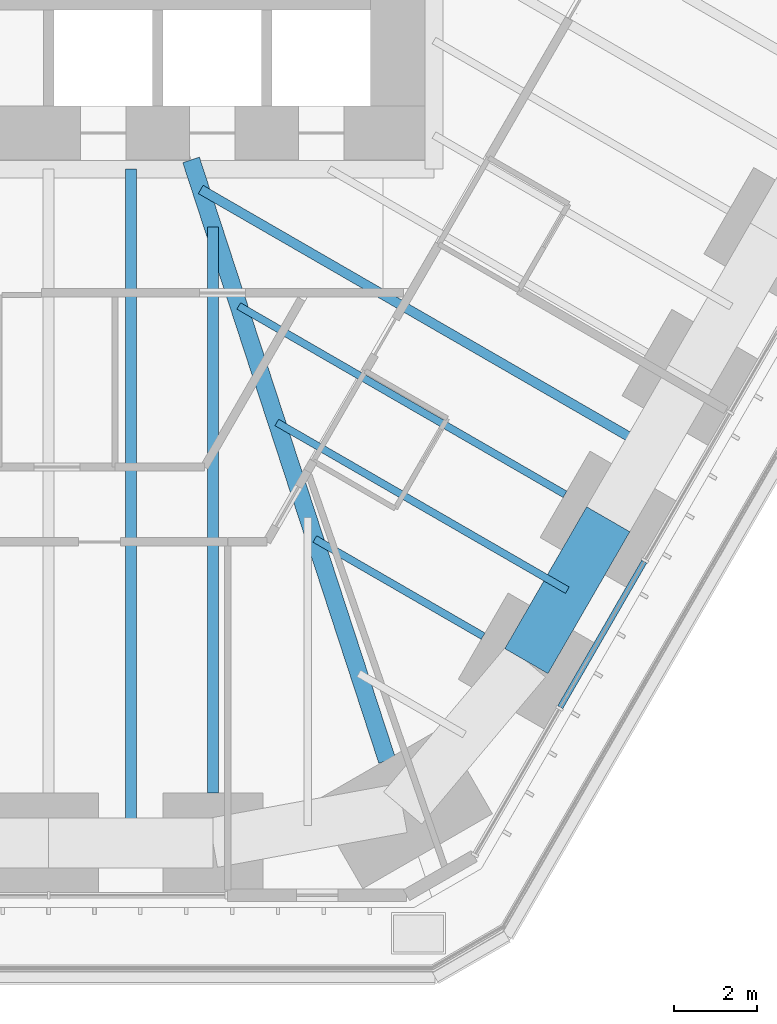
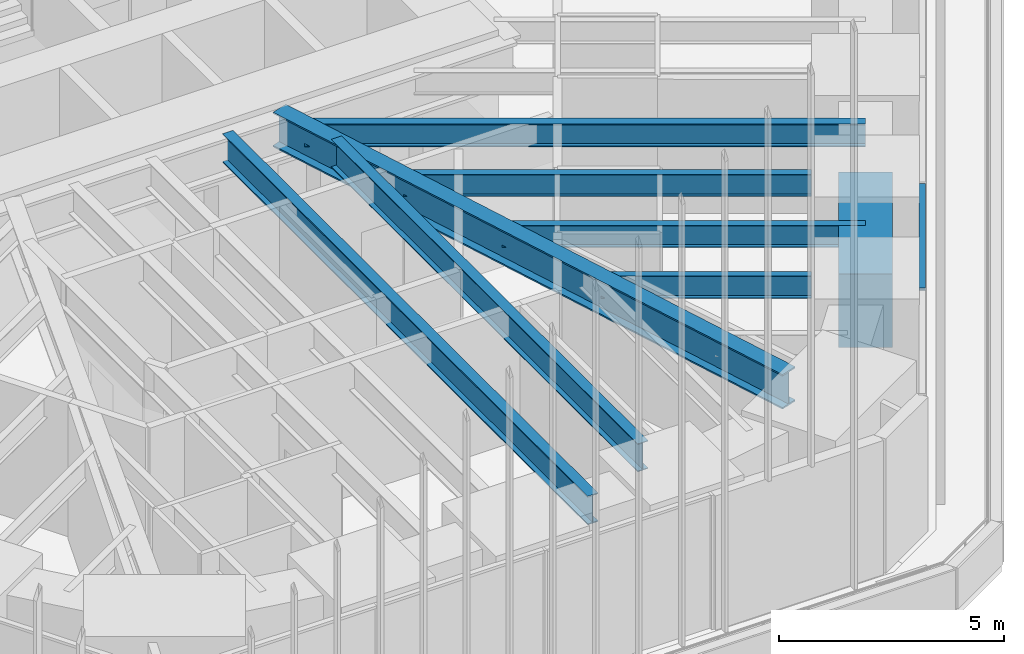
# One storey, part 75 of 238: 8 beams, 1 member, 1 element without a shape of its own.
"""IFC4 building model written with IfcOpenShell, lengths in metres."""

from ifc_helpers import new_model, si_unit, direction, frame, origin, origin_2d, place, context, subcontext, project, spatial, rectangle, i_section, extrude, material, material_profile, profile_set, type_object, element, aggregate, save


model = new_model("IFC4")

# Units and contexts
model_context = context("Model", 3, precision=1e-05, world=origin(), true_north=direction((0.0, 1.0)))
body_context = subcontext(model_context, "Body", "Model", "MODEL_VIEW")
ifc_project = project(units=[si_unit("LENGTHUNIT", "METRE"), si_unit("AREAUNIT", "SQUARE_METRE"), si_unit("VOLUMEUNIT", "CUBIC_METRE"), si_unit("PLANEANGLEUNIT", "RADIAN"), si_unit("MASSUNIT", "GRAM", prefix="KILO")], contexts=[model_context])

# Site, building, storey
site_placement = place(None, origin())
site = spatial("IfcSite", under=ifc_project, at=site_placement, CompositionType="ELEMENT")
building_placement = place(site_placement, origin())
building = spatial("IfcBuilding", under=site, at=building_placement, Name="Sandreach Pilgrim Tower", CompositionType="ELEMENT")
storey_placement = place(building_placement, frame((0.0, 0.0, 96.800048828125)))
storey = spatial("IfcBuildingStorey", under=building, at=storey_placement, Name="L23", CompositionType="ELEMENT", Elevation=96.800048828125)

# Curtain wall, member
ifc_material_1 = material(Name="Aluminium framed curtain wall", Category="aluminium")
curtain_wall_type = type_object("IfcCurtainWallType", Name="Hotel tower curtain wall", PredefinedType="NOTDEFINED", material=ifc_material_1)
curtain_wall_placement = place(storey_placement, origin())
curtain_wall = element("IfcCurtainWall", 1, at=curtain_wall_placement, inside=storey, type_object=curtain_wall_type, Name="CW-2 L23 SE", PredefinedType="NOTDEFINED")
ifc_material_2 = material(Name="Aluminium extrusion", Category="aluminium")
ifc_material_profile_1 = material_profile(ifc_material_2, rectangle(XDim=0.139892578125, YDim=0.070068359375, at=origin_2d()), Name="CW-2T 140X70")
ifc_profile_set_1 = profile_set([ifc_material_profile_1], Name="Aluminium extrusion")
member_type = type_object("IfcMemberType", Name="CW-2 transom", PredefinedType="USERDEFINED", material=ifc_profile_set_1)
member_placement = place(storey_placement, frame((14.330322265625, -20.1669921875, 3.60498046875), z_axis=(-0.500023973715, -0.866011562111, 0.0), x_axis=(0.866011562111, -0.500023973715, 0.0)))
member = element("IfcMember", 2, at=member_placement, type_object=member_type, Name="CW-2 head transom 8", ObjectType="TRANSOM", PredefinedType="USERDEFINED", context=body_context, shape_type="SweptSolid", body=[
    extrude(rectangle(XDim=0.139892578125, YDim=0.070068359375, at=origin_2d()), origin(), (0.0, 0.0, 1.0), 4.041748046875),
])
aggregate(curtain_wall, [member])

# Beams
ifc_material_3 = material(Name="Steel ASTM A992 Grade 50", Category="steel")
ifc_material_profile_2 = material_profile(ifc_material_3, i_section(OverallWidth=0.421630859375, OverallDepth=0.937255859375, WebThickness=0.0224609375, FlangeThickness=0.039794921875, at=origin_2d()), Name="W36X282")
ifc_profile_set_2 = profile_set([ifc_material_profile_2], Name="Steel ASTM A992 Grade 50")
beam_type_1 = type_object("IfcBeamType", Name="Corner girder W36X282", PredefinedType="BEAM", material=ifc_profile_set_2)
beam_1_placement = place(storey_placement, frame((8.1455078125, -24.95361328125, 3.17138671875), z_axis=(-0.310310868465, 0.950635137638, 0.0), x_axis=(-0.950635137638, -0.310310868465, 0.0)))
element("IfcBeam", 3, at=beam_1_placement, inside=storey, type_object=beam_type_1, Name="BM L23 CG22", PredefinedType="BEAM", context=body_context, shape_type="SweptSolid", body=[
    extrude(i_section(OverallWidth=0.421630859375, OverallDepth=0.937255859375, WebThickness=0.0224609375, FlangeThickness=0.039794921875, at=origin_2d()), origin(), (0.0, 0.0, 1.0), 15.2041015625),
])
ifc_material_4 = material(Name="Steel ASTM A992 Grade 50", Category="steel")
ifc_material_profile_3 = material_profile(ifc_material_4, i_section(OverallWidth=0.1787109375, OverallDepth=0.60205078125, WebThickness=0.010986328125, FlangeThickness=0.014892578125, at=origin_2d()), Name="W24X62")
ifc_profile_set_3 = profile_set([ifc_material_profile_3], Name="Steel ASTM A992 Grade 50")
beam_type_2 = type_object("IfcBeamType", Name="Floor beam W24X62", PredefinedType="BEAM", material=ifc_profile_set_3)
beam_2_placement = place(storey_placement, frame((12.4248046875, -18.547119140625, 3.3388671875), z_axis=(-0.866020076177, 0.500009227573, 0.0), x_axis=(-0.500009227573, -0.866020076177, 0.0)))
element("IfcBeam", 4, at=beam_2_placement, inside=storey, type_object=beam_type_2, Name="BM L23 F20", PredefinedType="BEAM", context=body_context, shape_type="SweptSolid", body=[
    extrude(i_section(OverallWidth=0.1787109375, OverallDepth=0.60205078125, WebThickness=0.010986328125, FlangeThickness=0.014892578125, at=origin_2d()), origin(), (0.0, 0.0, 1.0), 9.064208984375),
])
beam_3_placement = place(storey_placement, frame((10.454833984375, -21.959228515625, 3.3388671875), z_axis=(-0.866017799667, 0.500013170487, 0.0), x_axis=(-0.500013170487, -0.866017799667, 0.0)))
element("IfcBeam", 5, at=beam_3_placement, inside=storey, type_object=beam_type_2, Name="BM L23 F21", PredefinedType="BEAM", context=body_context, shape_type="SweptSolid", body=[
    extrude(i_section(OverallWidth=0.1787109375, OverallDepth=0.60205078125, WebThickness=0.010986328125, FlangeThickness=0.014892578125, at=origin_2d()), origin(), (0.0, 0.0, 1.0), 4.676513671875),
])
beam_4_placement = place(storey_placement, frame((12.47900390625, -20.853271484375, 3.3388671875), z_axis=(-0.866017328257, 0.500013986963, 0.0), x_axis=(-0.500013986963, -0.866017328257, 0.0)))
element("IfcBeam", 6, at=beam_4_placement, inside=storey, type_object=beam_type_2, Name="BM L23 FM20", PredefinedType="BEAM", context=body_context, shape_type="SweptSolid", body=[
    extrude(i_section(OverallWidth=0.1787109375, OverallDepth=0.60205078125, WebThickness=0.010986328125, FlangeThickness=0.014892578125, at=origin_2d()), origin(), (0.0, 0.0, 1.0), 8.070556640625),
])
ifc_material_5 = material(Name="Steel ASTM A992 Grade 50", Category="steel")
ifc_material_profile_4 = material_profile(ifc_material_5, i_section(OverallWidth=0.23046875, OverallDepth=0.6171875, WebThickness=0.01318359375, FlangeThickness=0.022216796875, at=origin_2d()), Name="W24X94")
ifc_profile_set_4 = profile_set([ifc_material_profile_4], Name="Steel ASTM A992 Grade 50")
beam_type_3 = type_object("IfcBeamType", Name="Floor beam W24X94", PredefinedType="BEAM", material=ifc_profile_set_4)
beam_5_placement = place(storey_placement, frame((14.448974609375, -17.441162109375, 3.331298828125), z_axis=(-0.866019150617, 0.500010830648, 0.0), x_axis=(-0.500010830648, -0.866019150617, 0.0)))
element("IfcBeam", 7, at=beam_5_placement, inside=storey, type_object=beam_type_3, Name="BM L23 FM19", PredefinedType="BEAM", context=body_context, shape_type="SweptSolid", body=[
    extrude(i_section(OverallWidth=0.23046875, OverallDepth=0.6171875, WebThickness=0.01318359375, FlangeThickness=0.022216796875, at=origin_2d()), origin(), (0.0, 0.0, 1.0), 12.458251953125),
])
ifc_material_6 = material(Name="Steel ASTM A992 Grade 50", Category="steel")
ifc_material_profile_5 = material_profile(ifc_material_6, i_section(OverallWidth=0.2666015625, OverallDepth=0.761962890625, WebThickness=0.014404296875, FlangeThickness=0.021484375, at=origin_2d()), Name="W30X116")
ifc_profile_set_5 = profile_set([ifc_material_profile_5], Name="Steel ASTM A992 Grade 50")
beam_type_4 = type_object("IfcBeamType", Name="Floor beam W30X116", PredefinedType="BEAM", material=ifc_profile_set_5)
beam_6_placement = place(storey_placement, frame((3.955322265625, -25.732177734375, 3.259033203125), z_axis=(0.0, 1.0, 0.0), x_axis=(-1.0, 0.0, 0.0)))
element("IfcBeam", 8, at=beam_6_placement, inside=storey, type_object=beam_type_4, Name="BM L23 F23", PredefinedType="BEAM", context=body_context, shape_type="SweptSolid", body=[
    extrude(i_section(OverallWidth=0.2666015625, OverallDepth=0.761962890625, WebThickness=0.014404296875, FlangeThickness=0.021484375, at=origin_2d()), origin(), (0.0, 0.0, 1.0), 13.615478515625),
])
ifc_material_7 = material(Name="Steel ASTM A992 Grade 50", Category="steel")
ifc_material_profile_6 = material_profile(ifc_material_7, i_section(OverallWidth=0.2666015625, OverallDepth=0.77978515625, WebThickness=0.0166015625, FlangeThickness=0.030029296875, at=origin_2d()), Name="W30X148")
ifc_profile_set_6 = profile_set([ifc_material_profile_6], Name="Steel ASTM A992 Grade 50")
beam_type_5 = type_object("IfcBeamType", Name="Floor beam W30X148", PredefinedType="BEAM", material=ifc_profile_set_6)
beam_7_placement = place(storey_placement, frame((1.9775390625, -26.93212890625, 3.25), z_axis=(0.0, 1.0, 0.0), x_axis=(-1.0, 0.0, 0.0)))
element("IfcBeam", 9, at=beam_7_placement, inside=storey, type_object=beam_type_5, Name="BM L23 FM23", PredefinedType="BEAM", context=body_context, shape_type="SweptSolid", body=[
    extrude(i_section(OverallWidth=0.2666015625, OverallDepth=0.77978515625, WebThickness=0.0166015625, FlangeThickness=0.030029296875, at=origin_2d()), origin(), (0.0, 0.0, 1.0), 16.2099609375),
])
ifc_material_8 = material(Name="Concrete 10000 psi", Category="concrete")
ifc_material_profile_7 = material_profile(ifc_material_8, rectangle(XDim=1.199951171875, YDim=2.0, at=origin_2d()), Name="RC1200X2000")
ifc_profile_set_7 = profile_set([ifc_material_profile_7], Name="Concrete 10000 psi")
beam_type_6 = type_object("IfcBeamType", Name="Spandrel beam RC1200X2000", PredefinedType="SPANDREL", material=ifc_profile_set_7)
beam_8_placement = place(storey_placement, frame((13.464111328125, -19.147216796875, 2.639892578125), z_axis=(-0.49999779889, -0.866026674592, 0.0), x_axis=(0.866026674592, -0.49999779889, 0.0)))
element("IfcBeam", 10, at=beam_8_placement, inside=storey, type_object=beam_type_6, Name="BM L23 SP20", PredefinedType="SPANDREL", context=body_context, shape_type="SweptSolid", body=[
    extrude(rectangle(XDim=1.199951171875, YDim=2.0, at=origin_2d()), origin(), (0.0, 0.0, 1.0), 3.93994140625),
])

save(model, "model.ifc")
